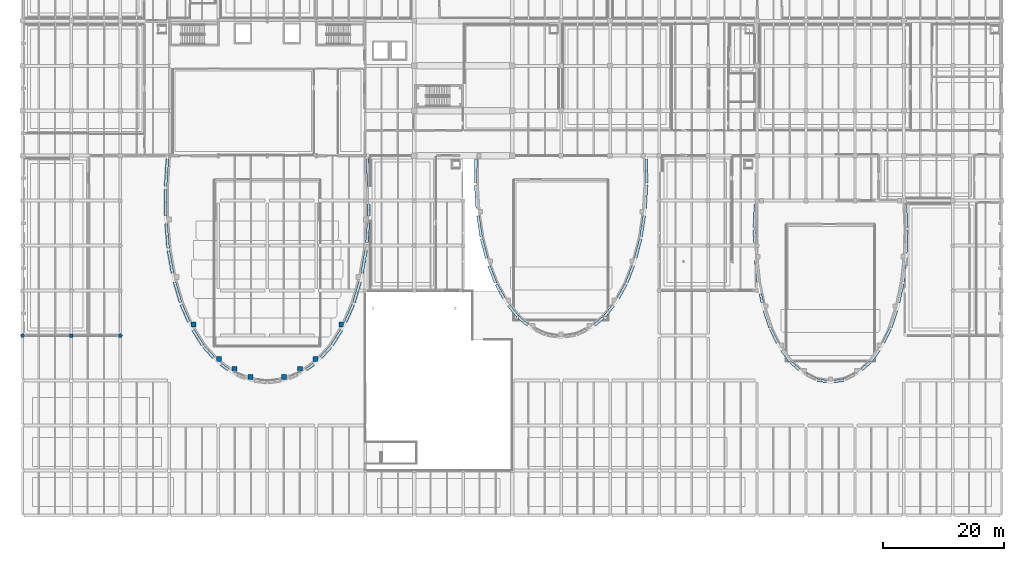
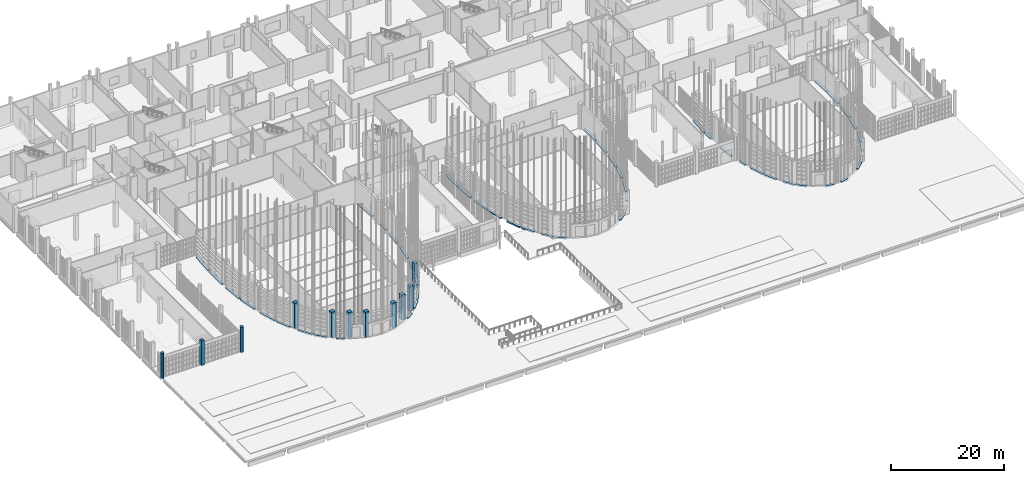
# One storey, part 1 of 372: 52 footings, 11 columns.
"""IFC4 building model written with IfcOpenShell, lengths in metres."""

from ifc_helpers import new_model, si_unit, direction, frame, origin, origin_2d, place, context, subcontext, project, spatial, polyline, rectangle, circle, outline, extrude, material, material_profile, profile_set, type_object, element, save


model = new_model("IFC4")

# Units and contexts
model_context = context("Model", 3, precision=1e-05, world=origin(), true_north=direction((0.0, 1.0)))
body_context = subcontext(model_context, "Body", "Model", "MODEL_VIEW")
ifc_project = project(units=[si_unit("LENGTHUNIT", "METRE"), si_unit("AREAUNIT", "SQUARE_METRE"), si_unit("VOLUMEUNIT", "CUBIC_METRE"), si_unit("PLANEANGLEUNIT", "RADIAN"), si_unit("MASSUNIT", "GRAM", prefix="KILO")], contexts=[model_context])

# Site, building, storey
site_placement = place(None, origin())
site = spatial("IfcSite", under=ifc_project, at=site_placement, CompositionType="ELEMENT")
building_placement = place(site_placement, origin())
building = spatial("IfcBuilding", under=site, at=building_placement, Name="Kaelora Sail Theatre", CompositionType="ELEMENT")
storey_placement = place(building_placement, origin())
storey = spatial("IfcBuildingStorey", under=building, at=storey_placement, Name="L00", CompositionType="ELEMENT", Elevation=0.0)

# Footings
ifc_material_1 = material(Name="Concrete C40/50", Category="concrete")
footing_type = type_object("IfcFootingType", Name="STR-GB-SF-DRM", PredefinedType="STRIP_FOOTING", material=ifc_material_1)
footing_1_placement = place(storey_placement, frame((0.0, 0.0, -0.300048828125)))
element("IfcFooting", 1, at=footing_1_placement, inside=storey, type_object=footing_type, Name="Main Theatre Sail Drum brise-soleil plinth strip footing C1", PredefinedType="STRIP_FOOTING", context=body_context, shape_type="SweptSolid", body=[
    extrude(outline(polyline([(58.292724609375, 60.515869140625), (58.5888671875, 55.9345703125), (59.02783203125, 55.962890625), (58.731689453125, 60.544189453125), (58.292724609375, 60.515869140625)])), origin(), (0.0, 0.0, 1.0), 0.300048828125),
])
footing_2_placement = place(storey_placement, frame((0.0, 0.0, -0.300048828125)))
element("IfcFooting", 2, at=footing_2_placement, inside=storey, type_object=footing_type, Name="Main Theatre Sail Drum brise-soleil plinth strip footing C2", PredefinedType="STRIP_FOOTING", context=body_context, shape_type="SweptSolid", body=[
    extrude(outline(polyline([(58.589111328125, 53.051513671875), (58.57958984375, 51.0830078125), (59.01953125, 51.080810546875), (59.029296875, 53.04931640625), (58.589111328125, 53.051513671875)])), origin(), (0.0, 0.0, 1.0), 0.300048828125),
])
footing_3_placement = place(storey_placement, frame((0.0, 0.0, -0.300048828125)))
element("IfcFooting", 3, at=footing_3_placement, inside=storey, type_object=footing_type, Name="Main Theatre Sail Drum brise-soleil plinth strip footing C3", PredefinedType="STRIP_FOOTING", context=body_context, shape_type="SweptSolid", body=[
    extrude(outline(polyline([(58.516845703125, 49.828125), (58.249267578125, 46.662109375), (58.687744140625, 46.625), (58.955322265625, 49.791015625), (58.516845703125, 49.828125)])), origin(), (0.0, 0.0, 1.0), 0.300048828125),
])
footing_4_placement = place(storey_placement, frame((0.0, 0.0, -0.300048828125)))
element("IfcFooting", 4, at=footing_4_placement, inside=storey, type_object=footing_type, Name="Main Theatre Sail Drum brise-soleil plinth strip footing C4", PredefinedType="STRIP_FOOTING", context=body_context, shape_type="SweptSolid", body=[
    extrude(outline(polyline([(58.12451171875, 45.382080078125), (57.448486328125, 41.59228515625), (57.881591796875, 41.51513671875), (58.5576171875, 45.304931640625), (58.12451171875, 45.382080078125)])), origin(), (0.0, 0.0, 1.0), 0.300048828125),
])
footing_5_placement = place(storey_placement, frame((0.0, 0.0, -0.300048828125)))
element("IfcFooting", 5, at=footing_5_placement, inside=storey, type_object=footing_type, Name="Main Theatre Sail Drum brise-soleil plinth strip footing C5", PredefinedType="STRIP_FOOTING", context=body_context, shape_type="SweptSolid", body=[
    extrude(outline(polyline([(57.132568359375, 40.238525390625), (56.127685546875, 36.79736328125), (56.550048828125, 36.673828125), (57.554931640625, 40.115234375), (57.132568359375, 40.238525390625)])), origin(), (0.0, 0.0, 1.0), 0.300048828125),
])
footing_6_placement = place(storey_placement, frame((0.0, 0.0, -0.300048828125)))
element("IfcFooting", 6, at=footing_6_placement, inside=storey, type_object=footing_type, Name="Main Theatre Sail Drum brise-soleil plinth strip footing C6", PredefinedType="STRIP_FOOTING", context=body_context, shape_type="SweptSolid", body=[
    extrude(outline(polyline([(56.022216796875, 36.502685546875), (54.774658203125, 33.63818359375), (55.177978515625, 33.46240234375), (56.425537109375, 36.326904296875), (56.022216796875, 36.502685546875)])), origin(), (0.0, 0.0, 1.0), 0.300048828125),
])
footing_7_placement = place(storey_placement, frame((0.0, 0.0, -0.300048828125)))
element("IfcFooting", 7, at=footing_7_placement, inside=storey, type_object=footing_type, Name="Main Theatre Sail Drum brise-soleil plinth strip footing C7", PredefinedType="STRIP_FOOTING", context=body_context, shape_type="SweptSolid", body=[
    extrude(outline(polyline([(54.076171875, 32.292236328125), (52.514404296875, 29.8017578125), (52.88720703125, 29.568115234375), (54.448974609375, 32.058349609375), (54.076171875, 32.292236328125)])), origin(), (0.0, 0.0, 1.0), 0.300048828125),
])
footing_8_placement = place(storey_placement, frame((0.0, 0.0, -0.300048828125)))
element("IfcFooting", 8, at=footing_8_placement, inside=storey, type_object=footing_type, Name="Main Theatre Sail Drum brise-soleil plinth strip footing C8", PredefinedType="STRIP_FOOTING", context=body_context, shape_type="SweptSolid", body=[
    extrude(outline(polyline([(52.365234375, 29.602294921875), (50.716796875, 27.78369140625), (51.042724609375, 27.488037109375), (52.691162109375, 29.306884765625), (52.365234375, 29.602294921875)])), origin(), (0.0, 0.0, 1.0), 0.300048828125),
])
footing_9_placement = place(storey_placement, frame((0.0, 0.0, -0.300048828125)))
element("IfcFooting", 9, at=footing_9_placement, inside=storey, type_object=footing_type, Name="Main Theatre Sail Drum brise-soleil plinth strip footing C9", PredefinedType="STRIP_FOOTING", context=body_context, shape_type="SweptSolid", body=[
    extrude(outline(polyline([(49.55615234375, 26.7197265625), (48.3212890625, 25.822509765625), (48.580078125, 25.466552734375), (49.814697265625, 26.36376953125), (49.55615234375, 26.7197265625)])), origin(), (0.0, 0.0, 1.0), 0.300048828125),
])
footing_10_placement = place(storey_placement, frame((0.0, 0.0, -0.300048828125)))
element("IfcFooting", 10, at=footing_10_placement, inside=storey, type_object=footing_type, Name="Main Theatre Sail Drum brise-soleil plinth strip footing C14", PredefinedType="STRIP_FOOTING", context=body_context, shape_type="SweptSolid", body=[
    extrude(outline(polyline([(35.6787109375, 25.822509765625), (34.44384765625, 26.7197265625), (34.185302734375, 26.36376953125), (35.419921875, 25.466552734375), (35.6787109375, 25.822509765625)])), origin(), (0.0, 0.0, 1.0), 0.300048828125),
])
footing_11_placement = place(storey_placement, frame((0.0, 0.0, -0.300048828125)))
element("IfcFooting", 11, at=footing_11_placement, inside=storey, type_object=footing_type, Name="Main Theatre Sail Drum brise-soleil plinth strip footing C15", PredefinedType="STRIP_FOOTING", context=body_context, shape_type="SweptSolid", body=[
    extrude(outline(polyline([(33.283203125, 27.78369140625), (31.634765625, 29.602294921875), (31.308837890625, 29.306884765625), (32.957275390625, 27.488037109375), (33.283203125, 27.78369140625)])), origin(), (0.0, 0.0, 1.0), 0.300048828125),
])
footing_12_placement = place(storey_placement, frame((0.0, 0.0, -0.300048828125)))
element("IfcFooting", 12, at=footing_12_placement, inside=storey, type_object=footing_type, Name="Main Theatre Sail Drum brise-soleil plinth strip footing C16", PredefinedType="STRIP_FOOTING", context=body_context, shape_type="SweptSolid", body=[
    extrude(outline(polyline([(31.485595703125, 29.8017578125), (29.923828125, 32.292236328125), (29.551025390625, 32.058349609375), (31.11279296875, 29.568115234375), (31.485595703125, 29.8017578125)])), origin(), (0.0, 0.0, 1.0), 0.300048828125),
])
footing_13_placement = place(storey_placement, frame((0.0, 0.0, -0.300048828125)))
element("IfcFooting", 13, at=footing_13_placement, inside=storey, type_object=footing_type, Name="Main Theatre Sail Drum brise-soleil plinth strip footing C17", PredefinedType="STRIP_FOOTING", context=body_context, shape_type="SweptSolid", body=[
    extrude(outline(polyline([(29.225341796875, 33.63818359375), (27.977783203125, 36.502685546875), (27.574462890625, 36.326904296875), (28.822021484375, 33.46240234375), (29.225341796875, 33.63818359375)])), origin(), (0.0, 0.0, 1.0), 0.300048828125),
])
footing_14_placement = place(storey_placement, frame((0.0, 0.0, -0.300048828125)))
element("IfcFooting", 14, at=footing_14_placement, inside=storey, type_object=footing_type, Name="Main Theatre Sail Drum brise-soleil plinth strip footing C18", PredefinedType="STRIP_FOOTING", context=body_context, shape_type="SweptSolid", body=[
    extrude(outline(polyline([(27.872314453125, 36.79736328125), (26.867431640625, 40.238525390625), (26.445068359375, 40.115234375), (27.449951171875, 36.673828125), (27.872314453125, 36.79736328125)])), origin(), (0.0, 0.0, 1.0), 0.300048828125),
])
footing_15_placement = place(storey_placement, frame((0.0, 0.0, -0.300048828125)))
element("IfcFooting", 15, at=footing_15_placement, inside=storey, type_object=footing_type, Name="Main Theatre Sail Drum brise-soleil plinth strip footing C19", PredefinedType="STRIP_FOOTING", context=body_context, shape_type="SweptSolid", body=[
    extrude(outline(polyline([(26.551513671875, 41.59228515625), (25.87548828125, 45.382080078125), (25.4423828125, 45.304931640625), (26.118408203125, 41.51513671875), (26.551513671875, 41.59228515625)])), origin(), (0.0, 0.0, 1.0), 0.300048828125),
])
footing_16_placement = place(storey_placement, frame((0.0, 0.0, -0.300048828125)))
element("IfcFooting", 16, at=footing_16_placement, inside=storey, type_object=footing_type, Name="Main Theatre Sail Drum brise-soleil plinth strip footing C20", PredefinedType="STRIP_FOOTING", context=body_context, shape_type="SweptSolid", body=[
    extrude(outline(polyline([(25.827880859375, 45.75048828125), (25.483154296875, 49.828125), (25.044677734375, 49.791015625), (25.389404296875, 45.71337890625), (25.827880859375, 45.75048828125)])), origin(), (0.0, 0.0, 1.0), 0.300048828125),
])
footing_17_placement = place(storey_placement, frame((0.0, 0.0, -0.300048828125)))
element("IfcFooting", 17, at=footing_17_placement, inside=storey, type_object=footing_type, Name="Main Theatre Sail Drum brise-soleil plinth strip footing C21", PredefinedType="STRIP_FOOTING", context=body_context, shape_type="SweptSolid", body=[
    extrude(outline(polyline([(25.42041015625, 51.0830078125), (25.398681640625, 55.5263671875), (24.958740234375, 55.524169921875), (24.98046875, 51.080810546875), (25.42041015625, 51.0830078125)])), origin(), (0.0, 0.0, 1.0), 0.300048828125),
])
footing_18_placement = place(storey_placement, frame((0.0, 0.0, -0.300048828125)))
element("IfcFooting", 18, at=footing_18_placement, inside=storey, type_object=footing_type, Name="Main Theatre Sail Drum brise-soleil plinth strip footing C22", PredefinedType="STRIP_FOOTING", context=body_context, shape_type="SweptSolid", body=[
    extrude(outline(polyline([(25.4111328125, 55.9345703125), (25.707275390625, 60.515869140625), (25.268310546875, 60.544189453125), (24.97216796875, 55.962890625), (25.4111328125, 55.9345703125)])), origin(), (0.0, 0.0, 1.0), 0.300048828125),
])
footing_19_placement = place(storey_placement, frame((0.0, 0.0, -0.300048828125)))
element("IfcFooting", 19, at=footing_19_placement, inside=storey, type_object=footing_type, Name="Studio Theatre Sail Drum brise-soleil plinth strip footing C1", PredefinedType="STRIP_FOOTING", context=body_context, shape_type="SweptSolid", body=[
    extrude(outline(polyline([(104.44921875, 60.468505859375), (104.514404296875, 56.5380859375), (104.954345703125, 56.54541015625), (104.88916015625, 60.475830078125), (104.44921875, 60.468505859375)])), origin(), (0.0, 0.0, 1.0), 0.300048828125),
])
footing_20_placement = place(storey_placement, frame((0.0, 0.0, -0.300048828125)))
element("IfcFooting", 20, at=footing_20_placement, inside=storey, type_object=footing_type, Name="Studio Theatre Sail Drum brise-soleil plinth strip footing C2", PredefinedType="STRIP_FOOTING", context=body_context, shape_type="SweptSolid", body=[
    extrude(outline(polyline([(104.5068359375, 56.19482421875), (104.265625, 52.318603515625), (104.704833984375, 52.29150390625), (104.946044921875, 56.16748046875), (104.5068359375, 56.19482421875)])), origin(), (0.0, 0.0, 1.0), 0.300048828125),
])
footing_21_placement = place(storey_placement, frame((0.0, 0.0, -0.300048828125)))
element("IfcFooting", 21, at=footing_21_placement, inside=storey, type_object=footing_type, Name="Studio Theatre Sail Drum brise-soleil plinth strip footing C3", PredefinedType="STRIP_FOOTING", context=body_context, shape_type="SweptSolid", body=[
    extrude(outline(polyline([(104.13134765625, 51.13671875), (103.606201171875, 47.65966796875), (104.04150390625, 47.593994140625), (104.56640625, 51.07080078125), (104.13134765625, 51.13671875)])), origin(), (0.0, 0.0, 1.0), 0.300048828125),
])
footing_22_placement = place(storey_placement, frame((0.0, 0.0, -0.300048828125)))
element("IfcFooting", 22, at=footing_22_placement, inside=storey, type_object=footing_type, Name="Studio Theatre Sail Drum brise-soleil plinth strip footing C4", PredefinedType="STRIP_FOOTING", context=body_context, shape_type="SweptSolid", body=[
    extrude(outline(polyline([(103.5458984375, 47.3583984375), (102.72509765625, 44.147216796875), (103.1513671875, 44.0380859375), (103.97216796875, 47.249267578125), (103.5458984375, 47.3583984375)])), origin(), (0.0, 0.0, 1.0), 0.300048828125),
])
footing_23_placement = place(storey_placement, frame((0.0, 0.0, -0.300048828125)))
element("IfcFooting", 23, at=footing_23_placement, inside=storey, type_object=footing_type, Name="Studio Theatre Sail Drum brise-soleil plinth strip footing C5", PredefinedType="STRIP_FOOTING", context=body_context, shape_type="SweptSolid", body=[
    extrude(outline(polyline([(102.32763671875, 42.902587890625), (101.2421875, 40.083740234375), (101.65283203125, 39.925537109375), (102.73828125, 42.744384765625), (102.32763671875, 42.902587890625)])), origin(), (0.0, 0.0, 1.0), 0.300048828125),
])
footing_24_placement = place(storey_placement, frame((0.0, 0.0, -0.300048828125)))
element("IfcFooting", 24, at=footing_24_placement, inside=storey, type_object=footing_type, Name="Studio Theatre Sail Drum brise-soleil plinth strip footing C6", PredefinedType="STRIP_FOOTING", context=body_context, shape_type="SweptSolid", body=[
    extrude(outline(polyline([(101.137939453125, 39.85791015625), (99.876220703125, 37.587646484375), (100.260498046875, 37.3740234375), (101.5224609375, 39.64404296875), (101.137939453125, 39.85791015625)])), origin(), (0.0, 0.0, 1.0), 0.300048828125),
])
footing_25_placement = place(storey_placement, frame((0.0, 0.0, -0.300048828125)))
element("IfcFooting", 25, at=footing_25_placement, inside=storey, type_object=footing_type, Name="Studio Theatre Sail Drum brise-soleil plinth strip footing C7", PredefinedType="STRIP_FOOTING", context=body_context, shape_type="SweptSolid", body=[
    extrude(outline(polyline([(99.099853515625, 36.416259765625), (97.60400390625, 34.5537109375), (97.947021484375, 34.2783203125), (99.44287109375, 36.140625), (99.099853515625, 36.416259765625)])), origin(), (0.0, 0.0, 1.0), 0.300048828125),
])
footing_26_placement = place(storey_placement, frame((0.0, 0.0, -0.300048828125)))
element("IfcFooting", 26, at=footing_26_placement, inside=storey, type_object=footing_type, Name="Studio Theatre Sail Drum brise-soleil plinth strip footing C8", PredefinedType="STRIP_FOOTING", context=body_context, shape_type="SweptSolid", body=[
    extrude(outline(polyline([(97.47509765625, 34.42138671875), (95.959716796875, 33.177734375), (96.23876953125, 32.837646484375), (97.75439453125, 34.081298828125), (97.47509765625, 34.42138671875)])), origin(), (0.0, 0.0, 1.0), 0.300048828125),
])
footing_27_placement = place(storey_placement, frame((0.0, 0.0, -0.300048828125)))
element("IfcFooting", 27, at=footing_27_placement, inside=storey, type_object=footing_type, Name="Studio Theatre Sail Drum brise-soleil plinth strip footing C13", PredefinedType="STRIP_FOOTING", context=body_context, shape_type="SweptSolid", body=[
    extrude(outline(polyline([(85.240478515625, 33.177734375), (83.724853515625, 34.42138671875), (83.44580078125, 34.081298828125), (84.961181640625, 32.837646484375), (85.240478515625, 33.177734375)])), origin(), (0.0, 0.0, 1.0), 0.300048828125),
])
footing_28_placement = place(storey_placement, frame((0.0, 0.0, -0.300048828125)))
element("IfcFooting", 28, at=footing_28_placement, inside=storey, type_object=footing_type, Name="Studio Theatre Sail Drum brise-soleil plinth strip footing C14", PredefinedType="STRIP_FOOTING", context=body_context, shape_type="SweptSolid", body=[
    extrude(outline(polyline([(83.59619140625, 34.5537109375), (82.10009765625, 36.416259765625), (81.757080078125, 36.140625), (83.253173828125, 34.2783203125), (83.59619140625, 34.5537109375)])), origin(), (0.0, 0.0, 1.0), 0.300048828125),
])
footing_29_placement = place(storey_placement, frame((0.0, 0.0, -0.300048828125)))
element("IfcFooting", 29, at=footing_29_placement, inside=storey, type_object=footing_type, Name="Studio Theatre Sail Drum brise-soleil plinth strip footing C15", PredefinedType="STRIP_FOOTING", context=body_context, shape_type="SweptSolid", body=[
    extrude(outline(polyline([(81.323974609375, 37.587646484375), (80.06201171875, 39.85791015625), (79.677490234375, 39.64404296875), (80.939453125, 37.3740234375), (81.323974609375, 37.587646484375)])), origin(), (0.0, 0.0, 1.0), 0.300048828125),
])
footing_30_placement = place(storey_placement, frame((0.0, 0.0, -0.300048828125)))
element("IfcFooting", 30, at=footing_30_placement, inside=storey, type_object=footing_type, Name="Studio Theatre Sail Drum brise-soleil plinth strip footing C16", PredefinedType="STRIP_FOOTING", context=body_context, shape_type="SweptSolid", body=[
    extrude(outline(polyline([(79.957763671875, 40.083740234375), (78.872314453125, 42.902587890625), (78.4619140625, 42.744384765625), (79.547119140625, 39.925537109375), (79.957763671875, 40.083740234375)])), origin(), (0.0, 0.0, 1.0), 0.300048828125),
])
footing_31_placement = place(storey_placement, frame((0.0, 0.0, -0.300048828125)))
element("IfcFooting", 31, at=footing_31_placement, inside=storey, type_object=footing_type, Name="Studio Theatre Sail Drum brise-soleil plinth strip footing C17", PredefinedType="STRIP_FOOTING", context=body_context, shape_type="SweptSolid", body=[
    extrude(outline(polyline([(78.47509765625, 44.147216796875), (77.654296875, 47.3583984375), (77.227783203125, 47.249267578125), (78.048583984375, 44.0380859375), (78.47509765625, 44.147216796875)])), origin(), (0.0, 0.0, 1.0), 0.300048828125),
])
footing_32_placement = place(storey_placement, frame((0.0, 0.0, -0.300048828125)))
element("IfcFooting", 32, at=footing_32_placement, inside=storey, type_object=footing_type, Name="Studio Theatre Sail Drum brise-soleil plinth strip footing C18", PredefinedType="STRIP_FOOTING", context=body_context, shape_type="SweptSolid", body=[
    extrude(outline(polyline([(77.59375, 47.65966796875), (77.068603515625, 51.13671875), (76.633544921875, 51.07080078125), (77.15869140625, 47.593994140625), (77.59375, 47.65966796875)])), origin(), (0.0, 0.0, 1.0), 0.300048828125),
])
footing_33_placement = place(storey_placement, frame((0.0, 0.0, -0.300048828125)))
element("IfcFooting", 33, at=footing_33_placement, inside=storey, type_object=footing_type, Name="Studio Theatre Sail Drum brise-soleil plinth strip footing C19", PredefinedType="STRIP_FOOTING", context=body_context, shape_type="SweptSolid", body=[
    extrude(outline(polyline([(76.934326171875, 52.318603515625), (76.693115234375, 56.19482421875), (76.25390625, 56.16748046875), (76.4951171875, 52.29150390625), (76.934326171875, 52.318603515625)])), origin(), (0.0, 0.0, 1.0), 0.300048828125),
])
footing_34_placement = place(storey_placement, frame((0.0, 0.0, -0.300048828125)))
element("IfcFooting", 34, at=footing_34_placement, inside=storey, type_object=footing_type, Name="Studio Theatre Sail Drum brise-soleil plinth strip footing C20", PredefinedType="STRIP_FOOTING", context=body_context, shape_type="SweptSolid", body=[
    extrude(outline(polyline([(76.685546875, 56.5380859375), (76.7509765625, 60.468505859375), (76.310791015625, 60.475830078125), (76.24560546875, 56.54541015625), (76.685546875, 56.5380859375)])), origin(), (0.0, 0.0, 1.0), 0.300048828125),
])
footing_35_placement = place(storey_placement, frame((0.0, 0.0, -0.300048828125)))
element("IfcFooting", 35, at=footing_35_placement, inside=storey, type_object=footing_type, Name="Black-Box and Experimental Sail Wing brise-soleil plinth strip footing C1", PredefinedType="STRIP_FOOTING", context=body_context, shape_type="SweptSolid", body=[
    extrude(outline(polyline([(147.34619140625, 52.96484375), (147.5107421875, 49.09814453125), (147.950439453125, 49.116943359375), (147.785888671875, 52.9833984375), (147.34619140625, 52.96484375)])), origin(), (0.0, 0.0, 1.0), 0.300048828125),
])
footing_36_placement = place(storey_placement, frame((0.0, 0.0, -0.300048828125)))
element("IfcFooting", 36, at=footing_36_placement, inside=storey, type_object=footing_type, Name="Black-Box and Experimental Sail Wing brise-soleil plinth strip footing C2", PredefinedType="STRIP_FOOTING", context=body_context, shape_type="SweptSolid", body=[
    extrude(outline(polyline([(147.51318359375, 48.7568359375), (147.40087890625, 44.878173828125), (147.8408203125, 44.865478515625), (147.952880859375, 48.744140625), (147.51318359375, 48.7568359375)])), origin(), (0.0, 0.0, 1.0), 0.300048828125),
])
footing_37_placement = place(storey_placement, frame((0.0, 0.0, -0.300048828125)))
element("IfcFooting", 37, at=footing_37_placement, inside=storey, type_object=footing_type, Name="Black-Box and Experimental Sail Wing brise-soleil plinth strip footing C3", PredefinedType="STRIP_FOOTING", context=body_context, shape_type="SweptSolid", body=[
    extrude(outline(polyline([(147.3125, 43.71728515625), (146.923095703125, 40.222900390625), (147.360595703125, 40.17431640625), (147.749755859375, 43.66845703125), (147.3125, 43.71728515625)])), origin(), (0.0, 0.0, 1.0), 0.300048828125),
])
footing_38_placement = place(storey_placement, frame((0.0, 0.0, -0.300048828125)))
element("IfcFooting", 38, at=footing_38_placement, inside=storey, type_object=footing_type, Name="Black-Box and Experimental Sail Wing brise-soleil plinth strip footing C4", PredefinedType="STRIP_FOOTING", context=body_context, shape_type="SweptSolid", body=[
    extrude(outline(polyline([(146.8759765625, 39.9248046875), (146.205078125, 36.73095703125), (146.6357421875, 36.640625), (147.306640625, 39.834228515625), (146.8759765625, 39.9248046875)])), origin(), (0.0, 0.0, 1.0), 0.300048828125),
])
footing_39_placement = place(storey_placement, frame((0.0, 0.0, -0.300048828125)))
element("IfcFooting", 39, at=footing_39_placement, inside=storey, type_object=footing_type, Name="Black-Box and Experimental Sail Wing brise-soleil plinth strip footing C5", PredefinedType="STRIP_FOOTING", context=body_context, shape_type="SweptSolid", body=[
    extrude(outline(polyline([(145.872314453125, 35.49267578125), (144.925537109375, 32.65087890625), (145.343017578125, 32.51171875), (146.289794921875, 35.353515625), (145.872314453125, 35.49267578125)])), origin(), (0.0, 0.0, 1.0), 0.300048828125),
])
footing_40_placement = place(storey_placement, frame((0.0, 0.0, -0.300048828125)))
element("IfcFooting", 40, at=footing_40_placement, inside=storey, type_object=footing_type, Name="Black-Box and Experimental Sail Wing brise-soleil plinth strip footing C6", PredefinedType="STRIP_FOOTING", context=body_context, shape_type="SweptSolid", body=[
    extrude(outline(polyline([(144.835693359375, 32.4296875), (143.722900390625, 30.18701171875), (144.116943359375, 29.991455078125), (145.229736328125, 32.234130859375), (144.835693359375, 32.4296875)])), origin(), (0.0, 0.0, 1.0), 0.300048828125),
])
footing_41_placement = place(storey_placement, frame((0.0, 0.0, -0.300048828125)))
element("IfcFooting", 41, at=footing_41_placement, inside=storey, type_object=footing_type, Name="Black-Box and Experimental Sail Wing brise-soleil plinth strip footing C7", PredefinedType="STRIP_FOOTING", context=body_context, shape_type="SweptSolid", body=[
    extrude(outline(polyline([(143.011474609375, 28.9912109375), (141.64599609375, 27.12548828125), (142.001220703125, 26.865478515625), (143.366455078125, 28.7314453125), (143.011474609375, 28.9912109375)])), origin(), (0.0, 0.0, 1.0), 0.300048828125),
])
footing_42_placement = place(storey_placement, frame((0.0, 0.0, -0.300048828125)))
element("IfcFooting", 42, at=footing_42_placement, inside=storey, type_object=footing_type, Name="Black-Box and Experimental Sail Wing brise-soleil plinth strip footing C8", PredefinedType="STRIP_FOOTING", context=body_context, shape_type="SweptSolid", body=[
    extrude(outline(polyline([(141.53369140625, 26.999267578125), (140.169921875, 25.786865234375), (140.462158203125, 25.4580078125), (141.825927734375, 26.67041015625), (141.53369140625, 26.999267578125)])), origin(), (0.0, 0.0, 1.0), 0.300048828125),
])
footing_43_placement = place(storey_placement, frame((0.0, 0.0, -0.300048828125)))
element("IfcFooting", 43, at=footing_43_placement, inside=storey, type_object=footing_type, Name="Black-Box and Experimental Sail Wing brise-soleil plinth strip footing C10", PredefinedType="STRIP_FOOTING", context=body_context, shape_type="SweptSolid", body=[
    extrude(outline(polyline([(137.348388671875, 24.157958984375), (135.781982421875, 23.90283203125), (135.852783203125, 23.468505859375), (137.419189453125, 23.7236328125), (137.348388671875, 24.157958984375)])), origin(), (0.0, 0.0, 1.0), 0.300048828125),
])
footing_44_placement = place(storey_placement, frame((0.0, 0.0, -0.300048828125)))
element("IfcFooting", 44, at=footing_44_placement, inside=storey, type_object=footing_type, Name="Black-Box and Experimental Sail Wing brise-soleil plinth strip footing C11", PredefinedType="STRIP_FOOTING", context=body_context, shape_type="SweptSolid", body=[
    extrude(outline(polyline([(134.517822265625, 23.90283203125), (132.95166015625, 24.157958984375), (132.880859375, 23.7236328125), (134.447021484375, 23.468505859375), (134.517822265625, 23.90283203125)])), origin(), (0.0, 0.0, 1.0), 0.300048828125),
])
footing_45_placement = place(storey_placement, frame((0.0, 0.0, -0.300048828125)))
element("IfcFooting", 45, at=footing_45_placement, inside=storey, type_object=footing_type, Name="Black-Box and Experimental Sail Wing brise-soleil plinth strip footing C13", PredefinedType="STRIP_FOOTING", context=body_context, shape_type="SweptSolid", body=[
    extrude(outline(polyline([(130.130126953125, 25.786865234375), (128.766357421875, 26.999267578125), (128.47412109375, 26.67041015625), (129.837890625, 25.4580078125), (130.130126953125, 25.786865234375)])), origin(), (0.0, 0.0, 1.0), 0.300048828125),
])
footing_46_placement = place(storey_placement, frame((0.0, 0.0, -0.300048828125)))
element("IfcFooting", 46, at=footing_46_placement, inside=storey, type_object=footing_type, Name="Black-Box and Experimental Sail Wing brise-soleil plinth strip footing C14", PredefinedType="STRIP_FOOTING", context=body_context, shape_type="SweptSolid", body=[
    extrude(outline(polyline([(128.65380859375, 27.12548828125), (127.28857421875, 28.9912109375), (126.93359375, 28.7314453125), (128.298828125, 26.865478515625), (128.65380859375, 27.12548828125)])), origin(), (0.0, 0.0, 1.0), 0.300048828125),
])
footing_47_placement = place(storey_placement, frame((0.0, 0.0, -0.300048828125)))
element("IfcFooting", 47, at=footing_47_placement, inside=storey, type_object=footing_type, Name="Black-Box and Experimental Sail Wing brise-soleil plinth strip footing C15", PredefinedType="STRIP_FOOTING", context=body_context, shape_type="SweptSolid", body=[
    extrude(outline(polyline([(126.5771484375, 30.18701171875), (125.46435546875, 32.4296875), (125.0703125, 32.234130859375), (126.18310546875, 29.991455078125), (126.5771484375, 30.18701171875)])), origin(), (0.0, 0.0, 1.0), 0.300048828125),
])
footing_48_placement = place(storey_placement, frame((0.0, 0.0, -0.300048828125)))
element("IfcFooting", 48, at=footing_48_placement, inside=storey, type_object=footing_type, Name="Black-Box and Experimental Sail Wing brise-soleil plinth strip footing C16", PredefinedType="STRIP_FOOTING", context=body_context, shape_type="SweptSolid", body=[
    extrude(outline(polyline([(125.37451171875, 32.65087890625), (124.427734375, 35.49267578125), (124.01025390625, 35.353515625), (124.95703125, 32.51171875), (125.37451171875, 32.65087890625)])), origin(), (0.0, 0.0, 1.0), 0.300048828125),
])
footing_49_placement = place(storey_placement, frame((0.0, 0.0, -0.300048828125)))
element("IfcFooting", 49, at=footing_49_placement, inside=storey, type_object=footing_type, Name="Black-Box and Experimental Sail Wing brise-soleil plinth strip footing C17", PredefinedType="STRIP_FOOTING", context=body_context, shape_type="SweptSolid", body=[
    extrude(outline(polyline([(124.094970703125, 36.73095703125), (123.772705078125, 38.2646484375), (123.34228515625, 38.17431640625), (123.664306640625, 36.640625), (124.094970703125, 36.73095703125)])), origin(), (0.0, 0.0, 1.0), 0.300048828125),
])
footing_50_placement = place(storey_placement, frame((0.0, 0.0, -0.300048828125)))
element("IfcFooting", 50, at=footing_50_placement, inside=storey, type_object=footing_type, Name="Black-Box and Experimental Sail Wing brise-soleil plinth strip footing C18", PredefinedType="STRIP_FOOTING", context=body_context, shape_type="SweptSolid", body=[
    extrude(outline(polyline([(123.376708984375, 40.222900390625), (122.987548828125, 43.71728515625), (122.55029296875, 43.66845703125), (122.939453125, 40.17431640625), (123.376708984375, 40.222900390625)])), origin(), (0.0, 0.0, 1.0), 0.300048828125),
])
footing_51_placement = place(storey_placement, frame((0.0, 0.0, -0.300048828125)))
element("IfcFooting", 51, at=footing_51_placement, inside=storey, type_object=footing_type, Name="Black-Box and Experimental Sail Wing brise-soleil plinth strip footing C19", PredefinedType="STRIP_FOOTING", context=body_context, shape_type="SweptSolid", body=[
    extrude(outline(polyline([(122.847900390625, 46.644287109375), (122.786865234375, 48.7568359375), (122.346923828125, 48.744140625), (122.408203125, 46.631591796875), (122.847900390625, 46.644287109375)])), origin(), (0.0, 0.0, 1.0), 0.300048828125),
])
footing_52_placement = place(storey_placement, frame((0.0, 0.0, -0.300048828125)))
element("IfcFooting", 52, at=footing_52_placement, inside=storey, type_object=footing_type, Name="Black-Box and Experimental Sail Wing brise-soleil plinth strip footing C20", PredefinedType="STRIP_FOOTING", context=body_context, shape_type="SweptSolid", body=[
    extrude(outline(polyline([(122.789306640625, 49.09814453125), (122.957275390625, 53.042724609375), (122.517578125, 53.0615234375), (122.349609375, 49.116943359375), (122.789306640625, 49.09814453125)])), origin(), (0.0, 0.0, 1.0), 0.300048828125),
])

# Columns
ifc_material_2 = material(Name="Concrete C40/50", Category="concrete")
ifc_material_profile_1 = material_profile(ifc_material_2, rectangle(XDim=0.60009765625, YDim=0.60009765625, at=origin_2d()), Name="RC-COL 600x600")
ifc_profile_set_1 = profile_set([ifc_material_profile_1], Name="Concrete C40/50")
column_type_1 = type_object("IfcColumnType", Name="STR-COL-C-RC600", PredefinedType="COLUMN", material=ifc_profile_set_1)
column_placement = place(storey_placement, frame((9.60009765625, 31.260009765625, 0.0), z_axis=(0.0, 0.0, 1.0), x_axis=(1.0, 0.0, 0.0)))
element("IfcColumn", 53, at=column_placement, inside=storey, type_object=column_type_1, Name="Column 2/E (L00)", PredefinedType="COLUMN", context=body_context, shape_type="SweptSolid", body=[
    extrude(rectangle(XDim=0.60009765625, YDim=0.60009765625, at=origin_2d()), origin(), (0.0, 0.0, 1.0), 5.39990234375),
])
ifc_material_3 = material(Name="Concrete C50/60", Category="concrete")
ifc_material_profile_2 = material_profile(ifc_material_3, rectangle(XDim=0.800048828125, YDim=0.800048828125, at=origin_2d()), Name="RC-COL 800x800")
ifc_profile_set_2 = profile_set([ifc_material_profile_2], Name="Concrete C50/60")
column_type_2 = type_object("IfcColumnType", Name="STR-COL-C-RC800", PredefinedType="COLUMN", material=ifc_profile_set_2)
for number, where, z_axis, x_axis, name in (
    (54, (54.228759765625, 33.08349609375, 0.0), (0.0, 0.0, 1.0), (1.0, 0.0, 0.0), "Main drum perimeter column MK06 (L00)"),
    (55, (49.997314453125, 27.403076171875, 0.0), (0.0, 0.0, 1.0), (1.0, 0.0, 0.0), "Main drum perimeter column MK08 (L00)"),
    (56, (44.78271484375, 24.436767578125, 0.0), (0.0, 0.0, 1.0), (1.0, 0.0, 0.0), "Main drum perimeter column MK10 (L00)"),
    (57, (39.21728515625, 24.436767578125, 0.0), (0.0, 0.0, 1.0), (1.0, 0.0, 0.0), "Main drum perimeter column MK12 (L00)"),
    (58, (34.002685546875, 27.403076171875, 0.0), (0.0, 0.0, 1.0), (1.0, 0.0, 0.0), "Main drum perimeter column MK14 (L00)"),
    (59, (29.771240234375, 33.08349609375, 0.0), (0.0, 0.0, 1.0), (1.0, 0.0, 0.0), "Main drum perimeter column MK16 (L00)"),
    (60, (36.60009765625, 25.800048828125, 0.0), (0.0, 0.0, 1.0), (1.0, 0.0, 0.0), "Main shell prow fulcrum column W (L00)"),
    (61, (47.39990234375, 25.800048828125, 0.0), (0.0, 0.0, 1.0), (1.0, 0.0, 0.0), "Main shell prow fulcrum column E (L00)"),
):
    element("IfcColumn", number, at=place(storey_placement, frame(where, z_axis=z_axis, x_axis=x_axis)), inside=storey, type_object=column_type_2, Name=name, PredefinedType="COLUMN", context=body_context, shape_type="SweptSolid", body=[
        extrude(rectangle(XDim=0.800048828125, YDim=0.800048828125, at=origin_2d()), origin(), (0.0, 0.0, 1.0), 5.39990234375),
    ])
ifc_material_4 = material(Name="Concrete C45/55", Category="concrete")
ifc_material_profile_3 = material_profile(ifc_material_4, circle(Radius=0.324951171875, at=origin_2d()), Name="RC-CCOL D650")
ifc_profile_set_3 = profile_set([ifc_material_profile_3], Name="Concrete C45/55")
column_type_3 = type_object("IfcColumnType", Name="STR-COL-C-RCD650", PredefinedType="COLUMN", material=ifc_profile_set_3)
for number, where, z_axis, x_axis, name in (
    (62, (1.5, 31.260009765625, 0.0), (0.0, 0.0, 1.0), (1.0, 0.0, 0.0), "Column 1/E (L00)"),
    (63, (17.699951171875, 31.260009765625, 0.0), (0.0, 0.0, 1.0), (1.0, 0.0, 0.0), "Column 3/E (L00)"),
):
    element("IfcColumn", number, at=place(storey_placement, frame(where, z_axis=z_axis, x_axis=x_axis)), inside=storey, type_object=column_type_3, Name=name, PredefinedType="COLUMN", context=body_context, shape_type="SweptSolid", body=[
        extrude(circle(Radius=0.324951171875, at=origin_2d()), origin(), (0.0, 0.0, 1.0), 5.39990234375),
    ])

save(model, "model.ifc")
